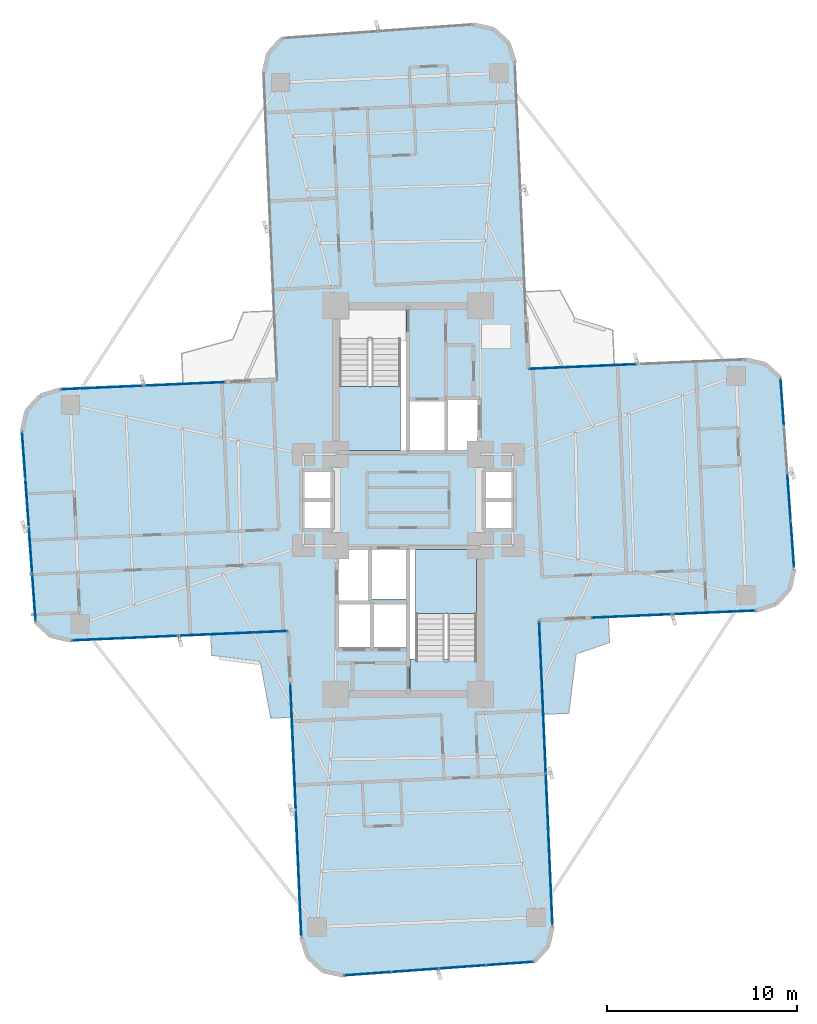
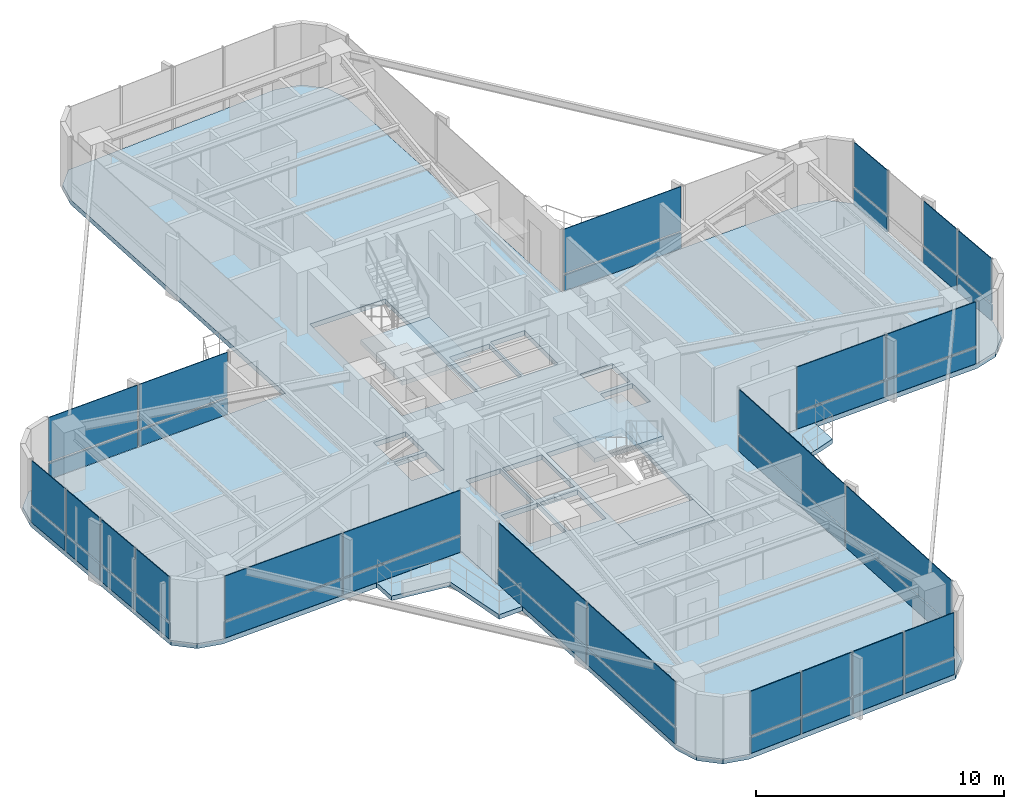
# One storey, part 21 of 26: 44 plates, 6 slabs, 11 elements without a shape of their own.
"""IFC4 building model written with IfcOpenShell, lengths in metres."""

from ifc_helpers import new_model, si_unit, direction, frame, origin, origin_2d, place, context, subcontext, project, spatial, polyline, rectangle, outline, extrude, source, transform, mapped, material, layer, layer_set, type_object, element, aggregate, save


model = new_model("IFC4")

# Units and contexts
model_context = context("Model", 3, precision=1e-05, world=origin(), true_north=direction((0.0, 1.0)))
body_context = subcontext(model_context, "Body", "Model", "MODEL_VIEW")
ifc_project = project(units=[si_unit("LENGTHUNIT", "METRE"), si_unit("AREAUNIT", "SQUARE_METRE"), si_unit("VOLUMEUNIT", "CUBIC_METRE"), si_unit("PLANEANGLEUNIT", "RADIAN"), si_unit("MASSUNIT", "GRAM", prefix="KILO")], contexts=[model_context])

# Site, building, storey
site_placement = place(None, origin())
site = spatial("IfcSite", under=ifc_project, at=site_placement, CompositionType="ELEMENT")
building_placement = place(site_placement, origin())
building = spatial("IfcBuilding", under=site, at=building_placement, Name="Sahyath Konkavel Grand Hotel", CompositionType="ELEMENT")
storey_placement = place(building_placement, frame((0.0, 0.0, 100.25)))
storey = spatial("IfcBuildingStorey", under=building, at=storey_placement, Name="L27", CompositionType="ELEMENT", Elevation=100.25)

# Slabs
ifc_material_1 = material(Name="Concrete C40/50", Category="concrete")
ifc_layer_1 = layer(ifc_material_1, 0.239990234375)
ifc_layer_set_1 = layer_set([ifc_layer_1], Name="Concrete C40/50")
slab_type_1 = type_object("IfcSlabType", Name="SLB-240", PredefinedType="FLOOR", material=ifc_layer_set_1)
slab_1_placement = place(storey_placement, frame((0.0, 0.0, -0.239990234375)))
element("IfcSlab", 1, at=slab_1_placement, inside=storey, type_object=slab_type_1, Name="L27 Structural Floor Slab", PredefinedType="FLOOR", context=body_context, shape_type="SweptSolid", body=[
    extrude(outline(polyline([(6.881591796875, -6.305908203125), (18.270751953125, -5.80859375), (19.3076171875, -5.481689453125), (20.0419921875, -4.68017578125), (20.277099609375, -3.618896484375), (19.5576171875, 6.4091796875), (18.75634765625, 7.1435546875), (17.695068359375, 7.37890625), (6.305908203125, 6.881591796875), (5.603515625, 22.96630859375), (5.276611328125, 24.0029296875), (4.47509765625, 24.7373046875), (3.4140625, 24.97265625), (-6.6142578125, 24.253173828125), (-7.3486328125, 23.451904296875), (-7.583984375, 22.390380859375), (-6.881591796875, 6.305908203125), (-18.270751953125, 5.80859375), (-19.3076171875, 5.481689453125), (-20.0419921875, 4.68017578125), (-20.277099609375, 3.618896484375), (-19.5576171875, -6.4091796875), (-18.75634765625, -7.1435546875), (-17.695068359375, -7.37890625), (-6.305908203125, -6.881591796875), (-5.603515625, -22.96630859375), (-5.276611328125, -24.0029296875), (-4.47509765625, -24.7373046875), (-3.4140625, -24.97265625), (6.6142578125, -24.253173828125), (7.3486328125, -23.451904296875), (7.583984375, -22.390380859375), (6.881591796875, -6.305908203125)]), holes=[polyline([(-3.6201171875, 2.580078125), (-0.10009765625, 2.580078125), (-0.10009765625, 10.02001953125), (-3.6201171875, 10.02001953125), (-3.6201171875, 2.580078125)]), polyline([(0.10009765625, -10.02001953125), (3.6201171875, -10.02001953125), (3.6201171875, -2.580078125), (0.10009765625, -2.580078125), (0.10009765625, -10.02001953125)]), polyline([(0.10009765625, 2.60009765625), (1.949951171875, 2.60009765625), (1.949951171875, 5.199951171875), (0.10009765625, 5.199951171875), (0.10009765625, 2.60009765625)]), polyline([(-1.949951171875, -5.199951171875), (-0.10009765625, -5.199951171875), (-0.10009765625, -2.60009765625), (-1.949951171875, -2.60009765625), (-1.949951171875, -5.199951171875)]), polyline([(2.050048828125, 2.60009765625), (3.64990234375, 2.60009765625), (3.64990234375, 5.300048828125), (2.050048828125, 5.300048828125), (2.050048828125, 2.60009765625)]), polyline([(-3.64990234375, -5.300048828125), (-2.050048828125, -5.300048828125), (-2.050048828125, -2.60009765625), (-3.64990234375, -2.60009765625), (-3.64990234375, -5.300048828125)]), polyline([(-3.64990234375, -7.75), (-1.949951171875, -7.75), (-1.949951171875, -5.449951171875), (-3.64990234375, -5.449951171875), (-3.64990234375, -7.75)]), polyline([(-1.85009765625, -7.75), (-0.10009765625, -7.75), (-0.10009765625, -5.449951171875), (-1.85009765625, -5.449951171875), (-1.85009765625, -7.75)]), polyline([(4.050048828125, 0.080078125), (5.550048828125, 0.080078125), (5.550048828125, 1.5400390625), (4.050048828125, 1.5400390625), (4.050048828125, 0.080078125)]), polyline([(4.050048828125, -1.5400390625), (5.550048828125, -1.5400390625), (5.550048828125, -0.080078125), (4.050048828125, -0.080078125), (4.050048828125, -1.5400390625)]), polyline([(-5.550048828125, 0.080078125), (-4.050048828125, 0.080078125), (-4.050048828125, 1.5400390625), (-5.550048828125, 1.5400390625), (-5.550048828125, 0.080078125)]), polyline([(-5.550048828125, -1.5400390625), (-4.050048828125, -1.5400390625), (-4.050048828125, -0.080078125), (-5.550048828125, -0.080078125), (-5.550048828125, -1.5400390625)])]), origin(), (0.0, 0.0, 1.0), 0.239990234375),
])
ifc_layer_2 = layer(ifc_material_1, 0.219970703125)
ifc_layer_set_2 = layer_set([ifc_layer_2], Name="Concrete C40/50")
slab_type_2 = type_object("IfcSlabType", Name="SLB-BALCONY-220", PredefinedType="FLOOR", material=ifc_layer_set_2)
slab_2_placement = place(storey_placement, frame((0.0, 0.0, -0.219970703125)))
element("IfcSlab", 2, at=slab_2_placement, inside=storey, type_object=slab_type_2, Name="L27 Winter-Garden Balcony SW", PredefinedType="FLOOR", context=body_context, shape_type="SweptSolid", body=[
    extrude(outline(polyline([(-6.305908203125, -6.881591796875), (-10.364990234375, -7.058837890625), (-10.31689453125, -8.16162109375), (-7.7705078125, -8.47998046875), (-7.210693359375, -11.46240234375), (-6.10791015625, -11.414306640625), (-6.305908203125, -6.881591796875)])), origin(), (0.0, 0.0, 1.0), 0.219970703125),
])
slab_3_placement = place(storey_placement, frame((0.0, 0.0, -0.219970703125)))
element("IfcSlab", 3, at=slab_3_placement, inside=storey, type_object=slab_type_2, Name="L27 Winter-Garden Balcony SE", PredefinedType="FLOOR", context=body_context, shape_type="SweptSolid", body=[
    extrude(outline(polyline([(6.881591796875, -6.305908203125), (7.097900390625, -11.260009765625), (8.438720703125, -11.20166015625), (8.8251953125, -8.086669921875), (10.57763671875, -7.48779296875), (10.51904296875, -6.14697265625), (6.881591796875, -6.305908203125)])), origin(), (0.0, 0.0, 1.0), 0.219970703125),
])

# Stair, slab
stair_type = type_object("IfcStairType", Name="STR-ST16-335", PredefinedType="HALF_TURN_STAIR", material=ifc_material_1)
stair_1_placement = place(storey_placement, origin())
stair_1 = element("IfcStair", 4, at=stair_1_placement, inside=storey, type_object=stair_type, Name="L27 North Core Smokeproof Exit Stair ST-1", PredefinedType="HALF_TURN_STAIR")
ifc_layer_3 = layer(ifc_material_1, 0.199951171875)
ifc_layer_set_3 = layer_set([ifc_layer_3], Name="Concrete C40/50")
slab_type_3 = type_object("IfcSlabType", Name="SLB-STAIR-LND", PredefinedType="LANDING", material=ifc_layer_set_3)
slab_4_placement = place(storey_placement, frame((0.0, 0.0, 1.47509765625)))
slab_4 = element("IfcSlab", 5, at=slab_4_placement, type_object=slab_type_3, Name="ST-1 landing 1", PredefinedType="LANDING", context=body_context, shape_type="SweptSolid", body=[
    extrude(outline(polyline([(-3.60009765625, 5.9599609375), (-3.60009765625, 2.60009765625), (-0.39990234375, 2.60009765625), (-0.39990234375, 5.9599609375), (-3.60009765625, 5.9599609375)])), origin(), (0.0, 0.0, 1.0), 0.199951171875),
])
aggregate(stair_1, [slab_4])

stair_2_placement = place(storey_placement, origin())
stair_2 = element("IfcStair", 6, at=stair_2_placement, inside=storey, type_object=stair_type, Name="L27 South Core Smokeproof Exit Stair ST-2", PredefinedType="HALF_TURN_STAIR")
slab_5_placement = place(storey_placement, frame((0.0, 0.0, 1.47509765625)))
slab_5 = element("IfcSlab", 7, at=slab_5_placement, type_object=slab_type_3, Name="ST-2 landing 1", PredefinedType="LANDING", context=body_context, shape_type="SweptSolid", body=[
    extrude(outline(polyline([(3.60009765625, -5.9599609375), (3.60009765625, -2.60009765625), (0.39990234375, -2.60009765625), (0.39990234375, -5.9599609375), (3.60009765625, -5.9599609375)])), origin(), (0.0, 0.0, 1.0), 0.199951171875),
])
aggregate(stair_2, [slab_5])

# Slab
slab_6_placement = place(storey_placement, frame((0.0, 0.0, -0.199951171875)))
element("IfcSlab", 8, at=slab_6_placement, inside=storey, type_object=slab_type_3, Name="L27 Stair ST-2 Floor Landing Slab", PredefinedType="LANDING", context=body_context, shape_type="SweptSolid", body=[
    extrude(outline(polyline([(0.10009765625, -10.02001953125), (3.6201171875, -10.02001953125), (3.6201171875, -8.35009765625), (0.10009765625, -8.35009765625), (0.10009765625, -10.02001953125)])), origin(), (0.0, 0.0, 1.0), 0.199951171875),
])

# Curtain wall, plates
ifc_material_2 = material(Name="Anodised Bronze Aluminium & Low-E Glazing", Category="aluminium")
curtain_wall_type = type_object("IfcCurtainWallType", Name="CW-ZONE2", PredefinedType="NOTDEFINED", material=ifc_material_2)
curtain_wall_1_placement = place(storey_placement, origin())
curtain_wall_1 = element("IfcCurtainWall", 9, at=curtain_wall_1_placement, inside=storey, type_object=curtain_wall_type, Name="L27 Unitised Curtain Wall F0", PredefinedType="NOTDEFINED")
ifc_material_3 = material(Name="Warm Buff Sandstone Cladding", Category="masonry")
ifc_layer_4 = layer(ifc_material_3, 0.074951171875)
ifc_layer_set_4 = layer_set([ifc_layer_4], Name="Warm Buff Sandstone Cladding")
plate_type_1 = type_object("IfcPlateType", Name="PNL-SPANDREL-STONE", PredefinedType="SHEET", material=ifc_layer_set_4)
shared_shape_1 = source(origin(), body_context, "Body", "SweptSolid", [
    extrude(rectangle(XDim=4.22998046875, YDim=0.074951171875, at=origin_2d()), origin(), (0.0, 0.0, 1.0), 0.77001953125),
])
plate_1_placement = place(storey_placement, frame((11.77197265625, -6.09228515625, 0.0400390625), z_axis=(0.0, 0.0, 1.0), x_axis=(0.999048982732, 0.043601950678, 0.0)))
plate_1 = element("IfcPlate", 10, at=plate_1_placement, type_object=plate_type_1, Name="L27 Sandstone Relief Spandrel Panel F0-0", PredefinedType="SHEET", context=body_context, shape_type="MappedRepresentation", body=[
    mapped(shared_shape_1, transform((0.0, 0.0, 0.0), scale=1.0)),
])
plate_2_placement = place(storey_placement, frame((16.077880859375, -5.904296875, 0.0400390625), z_axis=(0.0, 0.0, 1.0), x_axis=(0.999048982732, 0.043601950678, 0.0)))
plate_2 = element("IfcPlate", 11, at=plate_2_placement, type_object=plate_type_1, Name="L27 Sandstone Relief Spandrel Panel F0-1", PredefinedType="SHEET", context=body_context, shape_type="MappedRepresentation", body=[
    mapped(shared_shape_1, transform((0.0, 0.0, 0.0), scale=1.0)),
])

curtain_wall_2_placement = place(storey_placement, origin())
curtain_wall_2 = element("IfcCurtainWall", 12, at=curtain_wall_2_placement, inside=storey, type_object=curtain_wall_type, Name="L27 Unitised Curtain Wall F16", PredefinedType="NOTDEFINED")
plate_3_placement = place(storey_placement, frame((-11.77197265625, 6.09228515625, 0.0400390625), z_axis=(0.0, 0.0, 1.0), x_axis=(-0.999048982732, -0.043601950678, 0.0)))
plate_3 = element("IfcPlate", 13, at=plate_3_placement, type_object=plate_type_1, Name="L27 Sandstone Relief Spandrel Panel F16-0", PredefinedType="SHEET", context=body_context, shape_type="MappedRepresentation", body=[
    mapped(shared_shape_1, transform((0.0, 0.0, 0.0), scale=1.0)),
])
plate_4_placement = place(storey_placement, frame((-16.077880859375, 5.904296875, 0.0400390625), z_axis=(0.0, 0.0, 1.0), x_axis=(-0.999048982732, -0.043601950678, 0.0)))
plate_4 = element("IfcPlate", 14, at=plate_4_placement, type_object=plate_type_1, Name="L27 Sandstone Relief Spandrel Panel F16-1", PredefinedType="SHEET", context=body_context, shape_type="MappedRepresentation", body=[
    mapped(shared_shape_1, transform((0.0, 0.0, 0.0), scale=1.0)),
])

curtain_wall_3_placement = place(storey_placement, origin())
curtain_wall_3 = element("IfcCurtainWall", 15, at=curtain_wall_3_placement, inside=storey, type_object=curtain_wall_type, Name="L27 Unitised Curtain Wall F4", PredefinedType="NOTDEFINED")
shared_shape_2 = source(origin(), body_context, "Body", "SweptSolid", [
    extrude(rectangle(XDim=2.41357421875, YDim=0.074951171875, at=origin_2d()), origin(), (0.0, 0.0, 1.0), 0.77001953125),
])
plate_5_placement = place(storey_placement, frame((20.18505859375, -2.335693359375, 0.0400390625), z_axis=(0.0, 0.0, 1.0), x_axis=(-0.071567078661, 0.997435789037, 0.0)))
plate_5 = element("IfcPlate", 16, at=plate_5_placement, type_object=plate_type_1, Name="L27 Sandstone Relief Spandrel Panel F4-0", PredefinedType="SHEET", context=body_context, shape_type="MappedRepresentation", body=[
    mapped(shared_shape_2, transform((0.0, 0.0, 0.0), scale=1.0)),
])
plate_6_placement = place(storey_placement, frame((20.006591796875, 0.151611328125, 0.0400390625), z_axis=(0.0, 0.0, 1.0), x_axis=(-0.071567078661, 0.997435789037, 0.0)))
plate_6 = element("IfcPlate", 17, at=plate_6_placement, type_object=plate_type_1, Name="L27 Sandstone Relief Spandrel Panel F4-1", PredefinedType="SHEET", context=body_context, shape_type="MappedRepresentation", body=[
    mapped(shared_shape_2, transform((0.0, 0.0, 0.0), scale=1.0)),
])
plate_7_placement = place(storey_placement, frame((19.64990234375, 5.125732421875, 0.0400390625), z_axis=(0.0, 0.0, 1.0), x_axis=(-0.071567078661, 0.997435789037, 0.0)))
plate_7 = element("IfcPlate", 18, at=plate_7_placement, type_object=plate_type_1, Name="L27 Sandstone Relief Spandrel Panel F4-3", PredefinedType="SHEET", context=body_context, shape_type="MappedRepresentation", body=[
    mapped(shared_shape_2, transform((0.0, 0.0, 0.0), scale=1.0)),
])

curtain_wall_4_placement = place(storey_placement, origin())
curtain_wall_4 = element("IfcCurtainWall", 19, at=curtain_wall_4_placement, inside=storey, type_object=curtain_wall_type, Name="L27 Unitised Curtain Wall F20", PredefinedType="NOTDEFINED")
plate_8_placement = place(storey_placement, frame((-20.18505859375, 2.335693359375, 0.0400390625), z_axis=(0.0, 0.0, 1.0), x_axis=(0.071567078661, -0.997435789037, 0.0)))
plate_8 = element("IfcPlate", 20, at=plate_8_placement, type_object=plate_type_1, Name="L27 Sandstone Relief Spandrel Panel F20-0", PredefinedType="SHEET", context=body_context, shape_type="MappedRepresentation", body=[
    mapped(shared_shape_2, transform((0.0, 0.0, 0.0), scale=1.0)),
])
plate_9_placement = place(storey_placement, frame((-20.006591796875, -0.151611328125, 0.0400390625), z_axis=(0.0, 0.0, 1.0), x_axis=(0.071567078661, -0.997435789037, 0.0)))
plate_9 = element("IfcPlate", 21, at=plate_9_placement, type_object=plate_type_1, Name="L27 Sandstone Relief Spandrel Panel F20-1", PredefinedType="SHEET", context=body_context, shape_type="MappedRepresentation", body=[
    mapped(shared_shape_2, transform((0.0, 0.0, 0.0), scale=1.0)),
])
plate_10_placement = place(storey_placement, frame((-19.828369140625, -2.638671875, 0.0400390625), z_axis=(0.0, 0.0, 1.0), x_axis=(0.071567078661, -0.997435789037, 0.0)))
plate_10 = element("IfcPlate", 22, at=plate_10_placement, type_object=plate_type_1, Name="L27 Sandstone Relief Spandrel Panel F20-2", PredefinedType="SHEET", context=body_context, shape_type="MappedRepresentation", body=[
    mapped(shared_shape_2, transform((0.0, 0.0, 0.0), scale=1.0)),
])
plate_11_placement = place(storey_placement, frame((-19.64990234375, -5.125732421875, 0.0400390625), z_axis=(0.0, 0.0, 1.0), x_axis=(0.071567078661, -0.997435789037, 0.0)))
plate_11 = element("IfcPlate", 23, at=plate_11_placement, type_object=plate_type_1, Name="L27 Sandstone Relief Spandrel Panel F20-3", PredefinedType="SHEET", context=body_context, shape_type="MappedRepresentation", body=[
    mapped(shared_shape_2, transform((0.0, 0.0, 0.0), scale=1.0)),
])

curtain_wall_5_placement = place(storey_placement, origin())
curtain_wall_5 = element("IfcCurtainWall", 24, at=curtain_wall_5_placement, inside=storey, type_object=curtain_wall_type, Name="L27 Unitised Curtain Wall F28", PredefinedType="NOTDEFINED")
plate_12_placement = place(storey_placement, frame((-2.130615234375, -24.880615234375, 0.0400390625), z_axis=(0.0, 0.0, 1.0), x_axis=(0.997435789037, 0.071567078661, 0.0)))
plate_12 = element("IfcPlate", 25, at=plate_12_placement, type_object=plate_type_1, Name="L27 Sandstone Relief Spandrel Panel F28-0", PredefinedType="SHEET", context=body_context, shape_type="MappedRepresentation", body=[
    mapped(shared_shape_2, transform((0.0, 0.0, 0.0), scale=1.0)),
])
plate_13_placement = place(storey_placement, frame((0.356689453125, -24.7021484375, 0.0400390625), z_axis=(0.0, 0.0, 1.0), x_axis=(0.997435789037, 0.071567078661, 0.0)))
plate_13 = element("IfcPlate", 26, at=plate_13_placement, type_object=plate_type_1, Name="L27 Sandstone Relief Spandrel Panel F28-1", PredefinedType="SHEET", context=body_context, shape_type="MappedRepresentation", body=[
    mapped(shared_shape_2, transform((0.0, 0.0, 0.0), scale=1.0)),
])
plate_14_placement = place(storey_placement, frame((2.84375, -24.523681640625, 0.0400390625), z_axis=(0.0, 0.0, 1.0), x_axis=(0.997435789037, 0.071567078661, 0.0)))
plate_14 = element("IfcPlate", 27, at=plate_14_placement, type_object=plate_type_1, Name="L27 Sandstone Relief Spandrel Panel F28-2", PredefinedType="SHEET", context=body_context, shape_type="MappedRepresentation", body=[
    mapped(shared_shape_2, transform((0.0, 0.0, 0.0), scale=1.0)),
])
plate_15_placement = place(storey_placement, frame((5.330810546875, -24.34521484375, 0.0400390625), z_axis=(0.0, 0.0, 1.0), x_axis=(0.997435789037, 0.071567078661, 0.0)))
plate_15 = element("IfcPlate", 28, at=plate_15_placement, type_object=plate_type_1, Name="L27 Sandstone Relief Spandrel Panel F28-3", PredefinedType="SHEET", context=body_context, shape_type="MappedRepresentation", body=[
    mapped(shared_shape_2, transform((0.0, 0.0, 0.0), scale=1.0)),
])

# Curtain wall, plate
curtain_wall_6_placement = place(storey_placement, origin())
curtain_wall_6 = element("IfcCurtainWall", 29, at=curtain_wall_6_placement, inside=storey, type_object=curtain_wall_type, Name="L27 Unitised Curtain Wall F7", PredefinedType="NOTDEFINED")
shared_shape_3 = source(origin(), body_context, "Body", "SweptSolid", [
    extrude(rectangle(XDim=5.580078125, YDim=0.074951171875, at=origin_2d()), origin(), (0.0, 0.0, 1.0), 0.77001953125),
])
plate_16_placement = place(storey_placement, frame((9.173095703125, 7.0068359375, 0.0400390625), z_axis=(0.0, 0.0, 1.0), x_axis=(-0.999048221582, -0.043619387365, 0.0)))
plate_16 = element("IfcPlate", 30, at=plate_16_placement, type_object=plate_type_1, Name="L27 Sandstone Relief Spandrel Panel F7-1", PredefinedType="SHEET", context=body_context, shape_type="MappedRepresentation", body=[
    mapped(shared_shape_3, transform((0.0, 0.0, 0.0), scale=1.0)),
])

# Curtain wall, plates
curtain_wall_7_placement = place(storey_placement, origin())
curtain_wall_7 = element("IfcCurtainWall", 31, at=curtain_wall_7_placement, inside=storey, type_object=curtain_wall_type, Name="L27 Unitised Curtain Wall F23", PredefinedType="NOTDEFINED")
plate_17_placement = place(storey_placement, frame((-14.82763671875, -7.25390625, 0.0400390625), z_axis=(0.0, 0.0, 1.0), x_axis=(0.999048221582, 0.043619387365, 0.0)))
plate_17 = element("IfcPlate", 32, at=plate_17_placement, type_object=plate_type_1, Name="L27 Sandstone Relief Spandrel Panel F23-0", PredefinedType="SHEET", context=body_context, shape_type="MappedRepresentation", body=[
    mapped(shared_shape_3, transform((0.0, 0.0, 0.0), scale=1.0)),
])
plate_18_placement = place(storey_placement, frame((-9.173095703125, -7.0068359375, 0.0400390625), z_axis=(0.0, 0.0, 1.0), x_axis=(0.999048221582, 0.043619387365, 0.0)))
plate_18 = element("IfcPlate", 33, at=plate_18_placement, type_object=plate_type_1, Name="L27 Sandstone Relief Spandrel Panel F23-1", PredefinedType="SHEET", context=body_context, shape_type="MappedRepresentation", body=[
    mapped(shared_shape_3, transform((0.0, 0.0, 0.0), scale=1.0)),
])

curtain_wall_8_placement = place(storey_placement, origin())
curtain_wall_8 = element("IfcCurtainWall", 34, at=curtain_wall_8_placement, inside=storey, type_object=curtain_wall_type, Name="L27 Unitised Curtain Wall F24", PredefinedType="NOTDEFINED")
shared_shape_4 = source(origin(), body_context, "Body", "SweptSolid", [
    extrude(rectangle(XDim=6.580078125, YDim=0.074951171875, at=origin_2d()), origin(), (0.0, 0.0, 1.0), 0.77001953125),
])
plate_19_placement = place(storey_placement, frame((-6.041015625, -12.94580078125, 0.0400390625), z_axis=(0.0, 0.0, 1.0), x_axis=(0.043619387365, -0.999048221582, 0.0)))
plate_19 = element("IfcPlate", 35, at=plate_19_placement, type_object=plate_type_1, Name="L27 Sandstone Relief Spandrel Panel F24-0", PredefinedType="SHEET", context=body_context, shape_type="MappedRepresentation", body=[
    mapped(shared_shape_4, transform((0.0, 0.0, 0.0), scale=1.0)),
])
plate_20_placement = place(storey_placement, frame((-5.75048828125, -19.599609375, 0.0400390625), z_axis=(0.0, 0.0, 1.0), x_axis=(0.043619387365, -0.999048221582, 0.0)))
plate_20 = element("IfcPlate", 36, at=plate_20_placement, type_object=plate_type_1, Name="L27 Sandstone Relief Spandrel Panel F24-1", PredefinedType="SHEET", context=body_context, shape_type="MappedRepresentation", body=[
    mapped(shared_shape_4, transform((0.0, 0.0, 0.0), scale=1.0)),
])

curtain_wall_9_placement = place(storey_placement, origin())
curtain_wall_9 = element("IfcCurtainWall", 37, at=curtain_wall_9_placement, inside=storey, type_object=curtain_wall_type, Name="L27 Unitised Curtain Wall F31", PredefinedType="NOTDEFINED")
shared_shape_5 = source(origin(), body_context, "Body", "SweptSolid", [
    extrude(rectangle(XDim=7.929931640625, YDim=0.074951171875, at=origin_2d()), origin(), (0.0, 0.0, 1.0), 0.77001953125),
])
plate_21_placement = place(storey_placement, frame((7.407470703125, -18.349365234375, 0.0400390625), z_axis=(0.0, 0.0, 1.0), x_axis=(-0.043619387365, 0.999048221582, 0.0)))
plate_21 = element("IfcPlate", 38, at=plate_21_placement, type_object=plate_type_1, Name="L27 Sandstone Relief Spandrel Panel F31-0", PredefinedType="SHEET", context=body_context, shape_type="MappedRepresentation", body=[
    mapped(shared_shape_5, transform((0.0, 0.0, 0.0), scale=1.0)),
])
plate_22_placement = place(storey_placement, frame((7.05810546875, -10.346923828125, 0.0400390625), z_axis=(0.0, 0.0, 1.0), x_axis=(-0.043619387365, 0.999048221582, 0.0)))
plate_22 = element("IfcPlate", 39, at=plate_22_placement, type_object=plate_type_1, Name="L27 Sandstone Relief Spandrel Panel F31-1", PredefinedType="SHEET", context=body_context, shape_type="MappedRepresentation", body=[
    mapped(shared_shape_5, transform((0.0, 0.0, 0.0), scale=1.0)),
])

# Plate
ifc_material_4 = material(Name="Low-E Solar Control Double Glazing", Category="glass")
ifc_layer_5 = layer(ifc_material_4, 0.035888671875)
ifc_layer_set_5 = layer_set([ifc_layer_5], Name="Low-E Solar Control Double Glazing")
plate_type_2 = type_object("IfcPlateType", Name="PNL-VISION-LOWE", PredefinedType="CURTAIN_PANEL", material=ifc_layer_set_5)
shared_shape_6 = source(origin(), body_context, "Body", "SweptSolid", [
    extrude(rectangle(XDim=4.22998046875, YDim=0.035888671875, at=origin_2d()), origin(), (0.0, 0.0, 1.0), 2.179931640625),
])
plate_23_placement = place(storey_placement, frame((11.77197265625, -6.09228515625, 0.89013671875), z_axis=(0.0, 0.0, 1.0), x_axis=(0.999048982732, 0.043601950678, 0.0)))
plate_23 = element("IfcPlate", 40, at=plate_23_placement, type_object=plate_type_2, Name="L27 Low-E Vision Glazing Panel F0-0", PredefinedType="CURTAIN_PANEL", context=body_context, shape_type="MappedRepresentation", body=[
    mapped(shared_shape_6, transform((0.0, 0.0, 0.0), scale=1.0)),
])

plate_24_placement = place(storey_placement, frame((16.077880859375, -5.904296875, 0.89013671875), z_axis=(0.0, 0.0, 1.0), x_axis=(0.999048982732, 0.043601950678, 0.0)))
plate_24 = element("IfcPlate", 41, at=plate_24_placement, type_object=plate_type_2, Name="L27 Low-E Vision Glazing Panel F0-1", PredefinedType="CURTAIN_PANEL", context=body_context, shape_type="MappedRepresentation", body=[
    mapped(shared_shape_6, transform((0.0, 0.0, 0.0), scale=1.0)),
])

aggregate(curtain_wall_1, [plate_1, plate_23, plate_2, plate_24])

plate_25_placement = place(storey_placement, frame((-11.77197265625, 6.09228515625, 0.89013671875), z_axis=(0.0, 0.0, 1.0), x_axis=(-0.999048982732, -0.043601950678, 0.0)))
plate_25 = element("IfcPlate", 42, at=plate_25_placement, type_object=plate_type_2, Name="L27 Low-E Vision Glazing Panel F16-0", PredefinedType="CURTAIN_PANEL", context=body_context, shape_type="MappedRepresentation", body=[
    mapped(shared_shape_6, transform((0.0, 0.0, 0.0), scale=1.0)),
])

plate_26_placement = place(storey_placement, frame((-16.077880859375, 5.904296875, 0.89013671875), z_axis=(0.0, 0.0, 1.0), x_axis=(-0.999048982732, -0.043601950678, 0.0)))
plate_26 = element("IfcPlate", 43, at=plate_26_placement, type_object=plate_type_2, Name="L27 Low-E Vision Glazing Panel F16-1", PredefinedType="CURTAIN_PANEL", context=body_context, shape_type="MappedRepresentation", body=[
    mapped(shared_shape_6, transform((0.0, 0.0, 0.0), scale=1.0)),
])

aggregate(curtain_wall_2, [plate_3, plate_25, plate_4, plate_26])

shared_shape_7 = source(origin(), body_context, "Body", "SweptSolid", [
    extrude(rectangle(XDim=2.41357421875, YDim=0.035888671875, at=origin_2d()), origin(), (0.0, 0.0, 1.0), 2.179931640625),
])
plate_27_placement = place(storey_placement, frame((20.18505859375, -2.335693359375, 0.89013671875), z_axis=(0.0, 0.0, 1.0), x_axis=(-0.071567078661, 0.997435789037, 0.0)))
plate_27 = element("IfcPlate", 44, at=plate_27_placement, type_object=plate_type_2, Name="L27 Low-E Vision Glazing Panel F4-0", PredefinedType="CURTAIN_PANEL", context=body_context, shape_type="MappedRepresentation", body=[
    mapped(shared_shape_7, transform((0.0, 0.0, 0.0), scale=1.0)),
])

plate_28_placement = place(storey_placement, frame((20.006591796875, 0.151611328125, 0.89013671875), z_axis=(0.0, 0.0, 1.0), x_axis=(-0.071567078661, 0.997435789037, 0.0)))
plate_28 = element("IfcPlate", 45, at=plate_28_placement, type_object=plate_type_2, Name="L27 Low-E Vision Glazing Panel F4-1", PredefinedType="CURTAIN_PANEL", context=body_context, shape_type="MappedRepresentation", body=[
    mapped(shared_shape_7, transform((0.0, 0.0, 0.0), scale=1.0)),
])

plate_29_placement = place(storey_placement, frame((19.64990234375, 5.125732421875, 0.89013671875), z_axis=(0.0, 0.0, 1.0), x_axis=(-0.071567078661, 0.997435789037, 0.0)))
plate_29 = element("IfcPlate", 46, at=plate_29_placement, type_object=plate_type_2, Name="L27 Low-E Vision Glazing Panel F4-3", PredefinedType="CURTAIN_PANEL", context=body_context, shape_type="MappedRepresentation", body=[
    mapped(shared_shape_7, transform((0.0, 0.0, 0.0), scale=1.0)),
])

aggregate(curtain_wall_3, [plate_5, plate_27, plate_6, plate_28, plate_7, plate_29])

plate_30_placement = place(storey_placement, frame((-20.18505859375, 2.335693359375, 0.89013671875), z_axis=(0.0, 0.0, 1.0), x_axis=(0.071567078661, -0.997435789037, 0.0)))
plate_30 = element("IfcPlate", 47, at=plate_30_placement, type_object=plate_type_2, Name="L27 Low-E Vision Glazing Panel F20-0", PredefinedType="CURTAIN_PANEL", context=body_context, shape_type="MappedRepresentation", body=[
    mapped(shared_shape_7, transform((0.0, 0.0, 0.0), scale=1.0)),
])

plate_31_placement = place(storey_placement, frame((-20.006591796875, -0.151611328125, 0.89013671875), z_axis=(0.0, 0.0, 1.0), x_axis=(0.071567078661, -0.997435789037, 0.0)))
plate_31 = element("IfcPlate", 48, at=plate_31_placement, type_object=plate_type_2, Name="L27 Low-E Vision Glazing Panel F20-1", PredefinedType="CURTAIN_PANEL", context=body_context, shape_type="MappedRepresentation", body=[
    mapped(shared_shape_7, transform((0.0, 0.0, 0.0), scale=1.0)),
])

plate_32_placement = place(storey_placement, frame((-19.828369140625, -2.638671875, 0.89013671875), z_axis=(0.0, 0.0, 1.0), x_axis=(0.071567078661, -0.997435789037, 0.0)))
plate_32 = element("IfcPlate", 49, at=plate_32_placement, type_object=plate_type_2, Name="L27 Low-E Vision Glazing Panel F20-2", PredefinedType="CURTAIN_PANEL", context=body_context, shape_type="MappedRepresentation", body=[
    mapped(shared_shape_7, transform((0.0, 0.0, 0.0), scale=1.0)),
])

plate_33_placement = place(storey_placement, frame((-19.64990234375, -5.125732421875, 0.89013671875), z_axis=(0.0, 0.0, 1.0), x_axis=(0.071567078661, -0.997435789037, 0.0)))
plate_33 = element("IfcPlate", 50, at=plate_33_placement, type_object=plate_type_2, Name="L27 Low-E Vision Glazing Panel F20-3", PredefinedType="CURTAIN_PANEL", context=body_context, shape_type="MappedRepresentation", body=[
    mapped(shared_shape_7, transform((0.0, 0.0, 0.0), scale=1.0)),
])

aggregate(curtain_wall_4, [plate_8, plate_30, plate_9, plate_31, plate_10, plate_32, plate_11, plate_33])

plate_34_placement = place(storey_placement, frame((-2.130615234375, -24.880615234375, 0.89013671875), z_axis=(0.0, 0.0, 1.0), x_axis=(0.997435789037, 0.071567078661, 0.0)))
plate_34 = element("IfcPlate", 51, at=plate_34_placement, type_object=plate_type_2, Name="L27 Low-E Vision Glazing Panel F28-0", PredefinedType="CURTAIN_PANEL", context=body_context, shape_type="MappedRepresentation", body=[
    mapped(shared_shape_7, transform((0.0, 0.0, 0.0), scale=1.0)),
])

plate_35_placement = place(storey_placement, frame((0.356689453125, -24.7021484375, 0.89013671875), z_axis=(0.0, 0.0, 1.0), x_axis=(0.997435789037, 0.071567078661, 0.0)))
plate_35 = element("IfcPlate", 52, at=plate_35_placement, type_object=plate_type_2, Name="L27 Low-E Vision Glazing Panel F28-1", PredefinedType="CURTAIN_PANEL", context=body_context, shape_type="MappedRepresentation", body=[
    mapped(shared_shape_7, transform((0.0, 0.0, 0.0), scale=1.0)),
])

plate_36_placement = place(storey_placement, frame((2.84375, -24.523681640625, 0.89013671875), z_axis=(0.0, 0.0, 1.0), x_axis=(0.997435789037, 0.071567078661, 0.0)))
plate_36 = element("IfcPlate", 53, at=plate_36_placement, type_object=plate_type_2, Name="L27 Low-E Vision Glazing Panel F28-2", PredefinedType="CURTAIN_PANEL", context=body_context, shape_type="MappedRepresentation", body=[
    mapped(shared_shape_7, transform((0.0, 0.0, 0.0), scale=1.0)),
])

plate_37_placement = place(storey_placement, frame((5.330810546875, -24.34521484375, 0.89013671875), z_axis=(0.0, 0.0, 1.0), x_axis=(0.997435789037, 0.071567078661, 0.0)))
plate_37 = element("IfcPlate", 54, at=plate_37_placement, type_object=plate_type_2, Name="L27 Low-E Vision Glazing Panel F28-3", PredefinedType="CURTAIN_PANEL", context=body_context, shape_type="MappedRepresentation", body=[
    mapped(shared_shape_7, transform((0.0, 0.0, 0.0), scale=1.0)),
])

aggregate(curtain_wall_5, [plate_12, plate_34, plate_13, plate_35, plate_14, plate_36, plate_15, plate_37])

shared_shape_8 = source(origin(), body_context, "Body", "SweptSolid", [
    extrude(rectangle(XDim=5.580078125, YDim=0.035888671875, at=origin_2d()), origin(), (0.0, 0.0, 1.0), 2.179931640625),
])
plate_38_placement = place(storey_placement, frame((9.173095703125, 7.0068359375, 0.89013671875), z_axis=(0.0, 0.0, 1.0), x_axis=(-0.999048221582, -0.043619387365, 0.0)))
plate_38 = element("IfcPlate", 55, at=plate_38_placement, type_object=plate_type_2, Name="L27 Low-E Vision Glazing Panel F7-1", PredefinedType="CURTAIN_PANEL", context=body_context, shape_type="MappedRepresentation", body=[
    mapped(shared_shape_8, transform((0.0, 0.0, 0.0), scale=1.0)),
])

aggregate(curtain_wall_6, [plate_16, plate_38])

plate_39_placement = place(storey_placement, frame((-14.82763671875, -7.25390625, 0.89013671875), z_axis=(0.0, 0.0, 1.0), x_axis=(0.999048221582, 0.043619387365, 0.0)))
plate_39 = element("IfcPlate", 56, at=plate_39_placement, type_object=plate_type_2, Name="L27 Low-E Vision Glazing Panel F23-0", PredefinedType="CURTAIN_PANEL", context=body_context, shape_type="MappedRepresentation", body=[
    mapped(shared_shape_8, transform((0.0, 0.0, 0.0), scale=1.0)),
])

plate_40_placement = place(storey_placement, frame((-9.173095703125, -7.0068359375, 0.89013671875), z_axis=(0.0, 0.0, 1.0), x_axis=(0.999048221582, 0.043619387365, 0.0)))
plate_40 = element("IfcPlate", 57, at=plate_40_placement, type_object=plate_type_2, Name="L27 Low-E Vision Glazing Panel F23-1", PredefinedType="CURTAIN_PANEL", context=body_context, shape_type="MappedRepresentation", body=[
    mapped(shared_shape_8, transform((0.0, 0.0, 0.0), scale=1.0)),
])

aggregate(curtain_wall_7, [plate_17, plate_39, plate_18, plate_40])

shared_shape_9 = source(origin(), body_context, "Body", "SweptSolid", [
    extrude(rectangle(XDim=6.580078125, YDim=0.035888671875, at=origin_2d()), origin(), (0.0, 0.0, 1.0), 2.179931640625),
])
plate_41_placement = place(storey_placement, frame((-6.041015625, -12.94580078125, 0.89013671875), z_axis=(0.0, 0.0, 1.0), x_axis=(0.043619387365, -0.999048221582, 0.0)))
plate_41 = element("IfcPlate", 58, at=plate_41_placement, type_object=plate_type_2, Name="L27 Low-E Vision Glazing Panel F24-0", PredefinedType="CURTAIN_PANEL", context=body_context, shape_type="MappedRepresentation", body=[
    mapped(shared_shape_9, transform((0.0, 0.0, 0.0), scale=1.0)),
])

plate_42_placement = place(storey_placement, frame((-5.75048828125, -19.599609375, 0.89013671875), z_axis=(0.0, 0.0, 1.0), x_axis=(0.043619387365, -0.999048221582, 0.0)))
plate_42 = element("IfcPlate", 59, at=plate_42_placement, type_object=plate_type_2, Name="L27 Low-E Vision Glazing Panel F24-1", PredefinedType="CURTAIN_PANEL", context=body_context, shape_type="MappedRepresentation", body=[
    mapped(shared_shape_9, transform((0.0, 0.0, 0.0), scale=1.0)),
])

aggregate(curtain_wall_8, [plate_19, plate_41, plate_20, plate_42])

shared_shape_10 = source(origin(), body_context, "Body", "SweptSolid", [
    extrude(rectangle(XDim=7.929931640625, YDim=0.035888671875, at=origin_2d()), origin(), (0.0, 0.0, 1.0), 2.179931640625),
])
plate_43_placement = place(storey_placement, frame((7.407470703125, -18.349365234375, 0.89013671875), z_axis=(0.0, 0.0, 1.0), x_axis=(-0.043619387365, 0.999048221582, 0.0)))
plate_43 = element("IfcPlate", 60, at=plate_43_placement, type_object=plate_type_2, Name="L27 Low-E Vision Glazing Panel F31-0", PredefinedType="CURTAIN_PANEL", context=body_context, shape_type="MappedRepresentation", body=[
    mapped(shared_shape_10, transform((0.0, 0.0, 0.0), scale=1.0)),
])

plate_44_placement = place(storey_placement, frame((7.05810546875, -10.346923828125, 0.89013671875), z_axis=(0.0, 0.0, 1.0), x_axis=(-0.043619387365, 0.999048221582, 0.0)))
plate_44 = element("IfcPlate", 61, at=plate_44_placement, type_object=plate_type_2, Name="L27 Low-E Vision Glazing Panel F31-1", PredefinedType="CURTAIN_PANEL", context=body_context, shape_type="MappedRepresentation", body=[
    mapped(shared_shape_10, transform((0.0, 0.0, 0.0), scale=1.0)),
])

aggregate(curtain_wall_9, [plate_21, plate_43, plate_22, plate_44])

save(model, "model.ifc")
